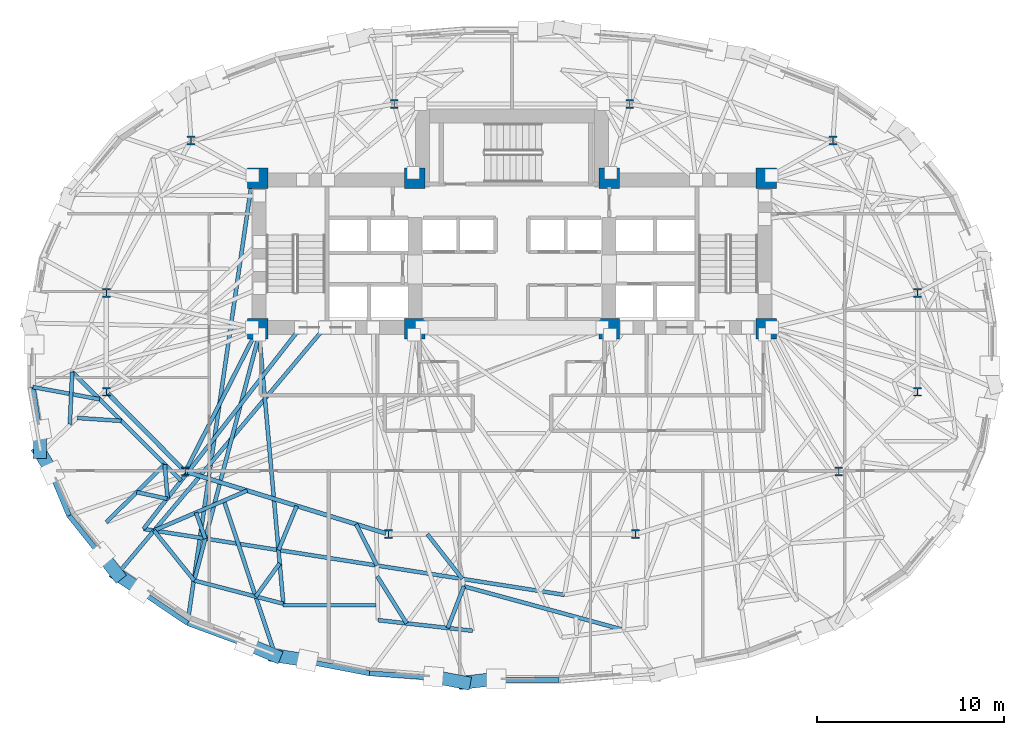
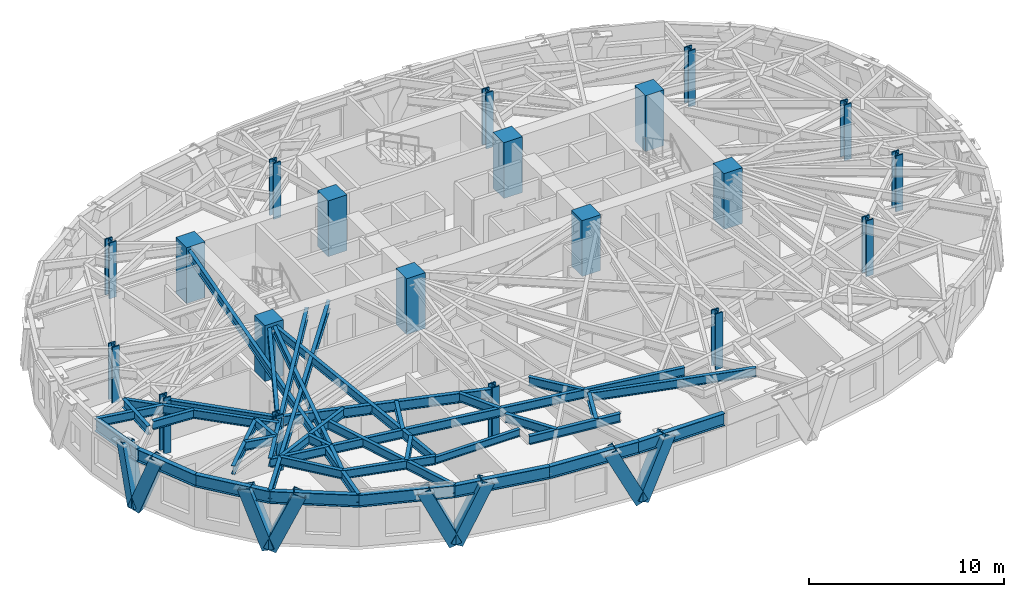
# One storey, part 1 of 14: 38 beams, 20 columns, 8 members.
"""IFC4 building model written with IfcOpenShell, lengths in metres."""

from ifc_helpers import new_model, si_unit, direction, frame, origin, origin_2d, place, context, subcontext, project, spatial, rectangle, hollow_rectangle, i_section, extrude, material, material_profile, profile_set, type_object, element, save


model = new_model("IFC4")

# Units and contexts
model_context = context("Model", 3, precision=1e-05, world=origin(), true_north=direction((0.0, 1.0)))
body_context = subcontext(model_context, "Body", "Model", "MODEL_VIEW")
ifc_project = project(units=[si_unit("LENGTHUNIT", "METRE"), si_unit("AREAUNIT", "SQUARE_METRE"), si_unit("VOLUMEUNIT", "CUBIC_METRE"), si_unit("PLANEANGLEUNIT", "RADIAN"), si_unit("MASSUNIT", "GRAM", prefix="KILO")], contexts=[model_context])

# Site, building, storey
site_placement = place(None, origin())
site = spatial("IfcSite", under=ifc_project, at=site_placement, CompositionType="ELEMENT")
building_placement = place(site_placement, origin())
building = spatial("IfcBuilding", under=site, at=building_placement, Name="Keldmark Tower", CompositionType="ELEMENT")
storey_placement = place(building_placement, frame((0.0, 0.0, 124.60009765625)))
storey = spatial("IfcBuildingStorey", under=building, at=storey_placement, Name="L33", CompositionType="ELEMENT", Elevation=124.60009765625)

# Columns
ifc_material_1 = material(Name="Concrete C70/85", Category="concrete")
ifc_material_profile_1 = material_profile(ifc_material_1, rectangle(XDim=1.10009765625, YDim=1.10009765625, at=origin_2d()), Name="RC1100X1100")
ifc_profile_set_1 = profile_set([ifc_material_profile_1], Name="Concrete C70/85")
column_type_1 = type_object("IfcColumnType", Name="Core Boundary Column RC1100", PredefinedType="COLUMN", material=ifc_profile_set_1)
for number, where, z_axis, x_axis, name in (
    (1, (-13.60009765625, 1.39990234375, 0.0), (0.0, 0.0, 1.0), (1.0, 0.0, 0.0), "L33 Core Boundary Column CC-W1"),
    (2, (-13.60009765625, 9.449951171875, 0.0), (0.0, 0.0, 1.0), (1.0, 0.0, 0.0), "L33 Core Boundary Column CC-W2"),
    (3, (-5.199951171875, 1.39990234375, 0.0), (0.0, 0.0, 1.0), (1.0, 0.0, 0.0), "L33 Core Boundary Column CC-W3"),
    (4, (-5.199951171875, 9.449951171875, 0.0), (0.0, 0.0, 1.0), (1.0, 0.0, 0.0), "L33 Core Boundary Column CC-W4"),
    (5, (5.199951171875, 1.39990234375, 0.0), (0.0, 0.0, 1.0), (1.0, 0.0, 0.0), "L33 Core Boundary Column CC-E1"),
    (6, (5.199951171875, 9.449951171875, 0.0), (0.0, 0.0, 1.0), (1.0, 0.0, 0.0), "L33 Core Boundary Column CC-E2"),
    (7, (13.60009765625, 1.39990234375, 0.0), (0.0, 0.0, 1.0), (1.0, 0.0, 0.0), "L33 Core Boundary Column CC-E3"),
    (8, (13.60009765625, 9.449951171875, 0.0), (0.0, 0.0, 1.0), (1.0, 0.0, 0.0), "L33 Core Boundary Column CC-E4"),
):
    element("IfcColumn", number, at=place(storey_placement, frame(where, z_axis=z_axis, x_axis=x_axis)), inside=storey, type_object=column_type_1, Name=name, PredefinedType="COLUMN", context=body_context, shape_type="SweptSolid", body=[
        extrude(rectangle(XDim=1.10009765625, YDim=1.10009765625, at=origin_2d()), origin(), (0.0, 0.0, 1.0), 3.5),
    ])
ifc_material_2 = material(Name="Steel ASTM A992 Grade 50", Category="steel")
ifc_material_profile_2 = material_profile(ifc_material_2, i_section(OverallWidth=0.424072265625, OverallDepth=0.47412109375, WebThickness=0.047607421875, FlangeThickness=0.0771484375, at=origin_2d()), Name="W14X426")
ifc_profile_set_2 = profile_set([ifc_material_profile_2], Name="Steel ASTM A992 Grade 50")
column_type_2 = type_object("IfcColumnType", Name="Tower Gravity Column W14X426", PredefinedType="COLUMN", material=ifc_profile_set_2)
for number, where, z_axis, x_axis, name in (
    (9, (21.697021484375, 3.309814453125, 0.0), (0.0, 0.0, 1.0), (1.0, 0.0, 0.0), "L33 Tower Gravity Column TC-E1"),
    (10, (17.1669921875, 11.478271484375, 0.0), (0.0, 0.0, 1.0), (1.0, 0.0, 0.0), "L33 Tower Gravity Column TC-E4"),
    (11, (6.298828125, 13.4326171875, 0.0), (0.0, 0.0, 1.0), (1.0, 0.0, 0.0), "L33 Tower Gravity Column TC-N2"),
    (12, (-6.298828125, 13.4326171875, 0.0), (0.0, 0.0, 1.0), (1.0, 0.0, 0.0), "L33 Tower Gravity Column TC-N1"),
    (13, (-17.1669921875, 11.478271484375, 0.0), (0.0, 0.0, 1.0), (1.0, 0.0, 0.0), "L33 Tower Gravity Column TC-W4"),
    (14, (-21.697021484375, 3.309814453125, 0.0), (0.0, 0.0, 1.0), (1.0, 0.0, 0.0), "L33 Tower Gravity Column TC-W1"),
    (15, (-21.697021484375, -1.9658203125, 0.0), (0.0, 0.0, 1.0), (1.0, 0.0, 0.0), "L33 Tower Gravity Column TC-W5"),
    (16, (-17.477294921875, -6.2294921875, 0.0), (0.0, 0.0, 1.0), (1.0, 0.0, 0.0), "L33 Tower Gravity Column TC-W2"),
    (17, (-6.61279296875, -9.579345703125, 0.0), (0.0, 0.0, 1.0), (1.0, 0.0, 0.0), "L33 Tower Gravity Column TC-W3"),
    (18, (6.61279296875, -9.579345703125, 0.0), (0.0, 0.0, 1.0), (1.0, 0.0, 0.0), "L33 Tower Gravity Column TC-E3"),
    (19, (17.477294921875, -6.2294921875, 0.0), (0.0, 0.0, 1.0), (1.0, 0.0, 0.0), "L33 Tower Gravity Column TC-E2"),
    (20, (21.697021484375, -1.9658203125, 0.0), (0.0, 0.0, 1.0), (1.0, 0.0, 0.0), "L33 Tower Gravity Column TC-E5"),
):
    element("IfcColumn", number, at=place(storey_placement, frame(where, z_axis=z_axis, x_axis=x_axis)), inside=storey, type_object=column_type_2, Name=name, PredefinedType="COLUMN", context=body_context, shape_type="SweptSolid", body=[
        extrude(i_section(OverallWidth=0.424072265625, OverallDepth=0.47412109375, WebThickness=0.047607421875, FlangeThickness=0.0771484375, at=origin_2d()), origin(), (0.0, 0.0, 1.0), 3.5),
    ])

# Beam
ifc_material_3 = material(Name="Steel ASTM A992 Grade 50", Category="steel")
ifc_material_profile_3 = material_profile(ifc_material_3, i_section(OverallWidth=0.19091796875, OverallDepth=0.45703125, WebThickness=0.009033203125, FlangeThickness=0.014404296875, at=origin_2d()), Name="W18X50")
ifc_profile_set_3 = profile_set([ifc_material_profile_3], Name="Steel ASTM A992 Grade 50")
beam_type_1 = type_object("IfcBeamType", Name="Composite Floor Joist W18X50", PredefinedType="JOIST", material=ifc_profile_set_3)
beam_1_placement = place(storey_placement, frame((-12.257080078125, -13.3798828125, 3.081298828125), z_axis=(1.0, 0.0, 0.0), x_axis=(0.0, 1.0, 0.0)))
element("IfcBeam", 21, at=beam_1_placement, inside=storey, type_object=beam_type_1, Name="L33 Composite Floor Joist J01", PredefinedType="JOIST", context=body_context, shape_type="SweptSolid", body=[
    extrude(i_section(OverallWidth=0.19091796875, OverallDepth=0.45703125, WebThickness=0.009033203125, FlangeThickness=0.014404296875, at=origin_2d()), origin(), (0.0, 0.0, 1.0), 4.97705078125),
])

# Members
ifc_material_4 = material(Name="Steel ASTM A572 Grade 50", Category="steel")
ifc_material_profile_4 = material_profile(ifc_material_4, hollow_rectangle(XDim=0.699951171875, YDim=0.699951171875, WallThickness=0.044921875, at=origin_2d()), Name="BOX700X700X45")
ifc_profile_set_4 = profile_set([ifc_material_profile_4], Name="Steel ASTM A572 Grade 50")
member_type = type_object("IfcMemberType", Name="Diagrid Zone 2 Brace BOX700X700X45", PredefinedType="BRACE", material=ifc_profile_set_4)
member_1_placement = place(storey_placement, frame((-25.2529296875, -5.2001953125, -0.27001953125), z_axis=(0.008138331931, 0.325866815426, 0.94538065675), x_axis=(-0.999688285196, 0.02496662657, 0.0)))
element("IfcMember", 22, at=member_1_placement, inside=storey, type_object=member_type, Name="L33 Perimeter Diagrid Brace 09A", PredefinedType="BRACE", context=body_context, shape_type="SweptSolid", body=[
    extrude(hollow_rectangle(XDim=0.699951171875, YDim=0.699951171875, WallThickness=0.044921875, at=origin_2d()), origin(), (0.0, 0.0, 1.0), 3.659912109375),
])
member_2_placement = place(storey_placement, frame((-25.25537109375, -5.188720703125, -0.27001953125), z_axis=(0.182553399139, -0.297731965347, 0.937032514523), x_axis=(0.852508727076, 0.52271299033, 0.0)))
element("IfcMember", 23, at=member_2_placement, inside=storey, type_object=member_type, Name="L33 Perimeter Diagrid Brace 09B", PredefinedType="BRACE", context=body_context, shape_type="SweptSolid", body=[
    extrude(hollow_rectangle(XDim=0.699951171875, YDim=0.699951171875, WallThickness=0.044921875, at=origin_2d()), origin(), (0.0, 0.0, 1.0), 3.6923828125),
])
member_3_placement = place(storey_placement, frame((-21.100341796875, -11.74169921875, -0.27001953125), z_axis=(-0.226834492266, 0.28602298851, 0.93098709076), x_axis=(-0.783512784352, -0.621375664761, 0.0)))
element("IfcMember", 24, at=member_3_placement, inside=storey, type_object=member_type, Name="L33 Perimeter Diagrid Brace 10A", PredefinedType="BRACE", context=body_context, shape_type="SweptSolid", body=[
    extrude(hollow_rectangle(XDim=0.699951171875, YDim=0.699951171875, WallThickness=0.044921875, at=origin_2d()), origin(), (0.0, 0.0, 1.0), 3.716552734375),
])
member_4_placement = place(storey_placement, frame((-21.10693359375, -11.73193359375, -0.27001953125), z_axis=(0.335688089011, -0.225727976809, 0.914527412045), x_axis=(0.558008953793, 0.829834927854, 0.0)))
element("IfcMember", 25, at=member_4_placement, inside=storey, type_object=member_type, Name="L33 Perimeter Diagrid Brace 10B", PredefinedType="BRACE", context=body_context, shape_type="SweptSolid", body=[
    extrude(hollow_rectangle(XDim=0.699951171875, YDim=0.699951171875, WallThickness=0.044921875, at=origin_2d()), origin(), (0.0, 0.0, 1.0), 3.783447265625),
])
member_5_placement = place(storey_placement, frame((-12.672607421875, -16.076416015625, -0.27001953125), z_axis=(-0.396146158481, 0.165315819675, 0.9031826509), x_axis=(-0.385121341829, -0.922865944798, 0.0)))
element("IfcMember", 26, at=member_5_placement, inside=storey, type_object=member_type, Name="L33 Perimeter Diagrid Brace 11A", PredefinedType="BRACE", context=body_context, shape_type="SweptSolid", body=[
    extrude(hollow_rectangle(XDim=0.699951171875, YDim=0.699951171875, WallThickness=0.044921875, at=origin_2d()), origin(), (0.0, 0.0, 1.0), 3.830810546875),
])
member_6_placement = place(storey_placement, frame((-12.682373046875, -16.06982421875, -0.27001953125), z_axis=(0.445834738319, -0.067703396482, 0.89255119529), x_axis=(0.150136346739, 0.988665300993, 0.0)))
element("IfcMember", 27, at=member_6_placement, inside=storey, type_object=member_type, Name="L33 Perimeter Diagrid Brace 11B", PredefinedType="BRACE", context=body_context, shape_type="SweptSolid", body=[
    extrude(hollow_rectangle(XDim=0.699951171875, YDim=0.699951171875, WallThickness=0.044921875, at=origin_2d()), origin(), (0.0, 0.0, 1.0), 3.87646484375),
])
member_7_placement = place(storey_placement, frame((-2.535888671875, -17.519775390625, -0.27001953125), z_axis=(-0.432868023203, 0.082659170366, 0.897659588064), x_axis=(-0.187567809741, -0.982251656527, 0.0)))
element("IfcMember", 28, at=member_7_placement, inside=storey, type_object=member_type, Name="L33 Perimeter Diagrid Brace 12A", PredefinedType="BRACE", context=body_context, shape_type="SweptSolid", body=[
    extrude(hollow_rectangle(XDim=0.699951171875, YDim=0.699951171875, WallThickness=0.044921875, at=origin_2d()), origin(), (0.0, 0.0, 1.0), 3.8544921875),
])
member_8_placement = place(storey_placement, frame((-2.547607421875, -17.517333984375, -0.27001953125), z_axis=(0.44291108894, 0.052229783339, 0.895042913511), x_axis=(-0.117112382561, 0.993118668564, 0.0)))
element("IfcMember", 29, at=member_8_placement, inside=storey, type_object=member_type, Name="L33 Perimeter Diagrid Brace 12B", PredefinedType="BRACE", context=body_context, shape_type="SweptSolid", body=[
    extrude(hollow_rectangle(XDim=0.699951171875, YDim=0.699951171875, WallThickness=0.044921875, at=origin_2d()), origin(), (0.0, 0.0, 1.0), 3.86572265625),
])

# Beams
ifc_material_5 = material(Name="Steel ASTM A992 Grade 50", Category="steel")
ifc_material_profile_5 = material_profile(ifc_material_5, i_section(OverallWidth=0.22900390625, OverallDepth=0.612060546875, WebThickness=0.011962890625, FlangeThickness=0.01953125, at=origin_2d()), Name="W24X84")
ifc_profile_set_5 = profile_set([ifc_material_profile_5], Name="Steel ASTM A992 Grade 50")
beam_type_2 = type_object("IfcBeamType", Name="Primary Floor Girder W24X84", PredefinedType="BEAM", material=ifc_profile_set_5)
beam_2_placement = place(storey_placement, frame((-21.598388671875, -2.0654296875, 3.00390625), z_axis=(0.703425791323, -0.71076870788, 0.0), x_axis=(0.71076870788, 0.703425791323, 0.0)))
element("IfcBeam", 30, at=beam_2_placement, inside=storey, type_object=beam_type_2, Name="L33 Floor Ring Girder FG-R07", PredefinedType="BEAM", context=body_context, shape_type="SweptSolid", body=[
    extrude(i_section(OverallWidth=0.22900390625, OverallDepth=0.612060546875, WebThickness=0.011962890625, FlangeThickness=0.01953125, at=origin_2d()), origin(), (0.0, 0.0, 1.0), 5.71875),
])
beam_3_placement = place(storey_placement, frame((-17.343505859375, -6.270751953125, 3.00390625), z_axis=(0.955607954968, -0.294641199432, 0.0), x_axis=(0.294641199432, 0.955607954968, 0.0)))
element("IfcBeam", 31, at=beam_3_placement, inside=storey, type_object=beam_type_2, Name="L33 Floor Ring Girder FG-R08", PredefinedType="BEAM", context=body_context, shape_type="SweptSolid", body=[
    extrude(i_section(OverallWidth=0.22900390625, OverallDepth=0.612060546875, WebThickness=0.011962890625, FlangeThickness=0.01953125, at=origin_2d()), origin(), (0.0, 0.0, 1.0), 11.089111328125),
])
ifc_material_6 = material(Name="Steel ASTM A992 Grade 50", Category="steel")
ifc_material_profile_6 = material_profile(ifc_material_6, i_section(OverallWidth=0.2099609375, OverallDepth=0.537109375, WebThickness=0.010986328125, FlangeThickness=0.017333984375, at=origin_2d()), Name="W21X68")
ifc_profile_set_6 = profile_set([ifc_material_profile_6], Name="Steel ASTM A992 Grade 50")
beam_type_3 = type_object("IfcBeamType", Name="Radial Tie Girder W21X68", PredefinedType="BEAM", material=ifc_profile_set_6)
beam_4_placement = place(storey_placement, frame((-17.413818359375, -6.104736328125, 3.04150390625), z_axis=(0.453028637759, 0.891495963743, 0.0), x_axis=(-0.891495963743, 0.453028637759, 0.0)))
element("IfcBeam", 32, at=beam_4_placement, inside=storey, type_object=beam_type_3, Name="L33 Floor Radial Girder FG-C08", PredefinedType="BEAM", context=body_context, shape_type="SweptSolid", body=[
    extrude(i_section(OverallWidth=0.2099609375, OverallDepth=0.537109375, WebThickness=0.010986328125, FlangeThickness=0.017333984375, at=origin_2d()), origin(), (0.0, 0.0, 1.0), 8.09814453125),
])
beam_5_placement = place(storey_placement, frame((-23.526611328125, -0.90380859375, 3.04150390625), z_axis=(0.707877146153, -0.706335576022, 0.0), x_axis=(0.706335576022, 0.707877146153, 0.0)))
element("IfcBeam", 33, at=beam_5_placement, inside=storey, type_object=beam_type_3, Name="L33 Framing Pin Header PH-010", PredefinedType="BEAM", context=body_context, shape_type="SweptSolid", body=[
    extrude(i_section(OverallWidth=0.2099609375, OverallDepth=0.537109375, WebThickness=0.010986328125, FlangeThickness=0.017333984375, at=origin_2d()), origin(), (0.0, 0.0, 1.0), 8.2353515625),
])
beam_6_placement = place(storey_placement, frame((-11.30712890625, 1.47509765625, 3.04150390625), z_axis=(-0.614860489309, -0.788635897412, 0.0), x_axis=(0.788635897412, -0.614860489309, 0.0)))
element("IfcBeam", 34, at=beam_6_placement, inside=storey, type_object=beam_type_3, Name="L33 Sub-Ring Step Girder STP2-M08", PredefinedType="BEAM", context=body_context, shape_type="SweptSolid", body=[
    extrude(i_section(OverallWidth=0.2099609375, OverallDepth=0.537109375, WebThickness=0.010986328125, FlangeThickness=0.017333984375, at=origin_2d()), origin(), (0.0, 0.0, 1.0), 13.664306640625),
])
beam_7_placement = place(storey_placement, frame((-19.708740234375, -9.301025390625, 3.04150390625), z_axis=(0.987940743247, -0.154832450836, 0.0), x_axis=(0.154832450836, 0.987940743247, 0.0)))
element("IfcBeam", 35, at=beam_7_placement, inside=storey, type_object=beam_type_3, Name="L33 Perimeter Collector Ring Beam CRG2-M08", PredefinedType="BEAM", context=body_context, shape_type="SweptSolid", body=[
    extrude(i_section(OverallWidth=0.2099609375, OverallDepth=0.537109375, WebThickness=0.010986328125, FlangeThickness=0.017333984375, at=origin_2d()), origin(), (0.0, 0.0, 1.0), 22.7880859375),
])
beam_8_placement = place(storey_placement, frame((-25.62646484375, -1.711181640625, 3.04150390625), z_axis=(0.983561328584, -0.180574397174, 0.0), x_axis=(0.180574397174, 0.983561328584, 0.0)))
element("IfcBeam", 36, at=beam_8_placement, inside=storey, type_object=beam_type_3, Name="L33 Framing Pin Header PH-024", PredefinedType="BEAM", context=body_context, shape_type="SweptSolid", body=[
    extrude(i_section(OverallWidth=0.2099609375, OverallDepth=0.537109375, WebThickness=0.010986328125, FlangeThickness=0.017333984375, at=origin_2d()), origin(), (0.0, 0.0, 1.0), 3.624755859375),
])
beam_9_placement = place(storey_placement, frame((-23.526611328125, -0.90380859375, 3.04150390625), z_axis=(-0.044209156387, -0.999022297294, 0.0), x_axis=(0.999022297294, -0.044209156387, 0.0)))
element("IfcBeam", 37, at=beam_9_placement, inside=storey, type_object=beam_type_3, Name="L33 Local Collector Chord RT-18C", PredefinedType="BEAM", context=body_context, shape_type="SweptSolid", body=[
    extrude(i_section(OverallWidth=0.2099609375, OverallDepth=0.537109375, WebThickness=0.010986328125, FlangeThickness=0.017333984375, at=origin_2d()), origin(), (0.0, 0.0, 1.0), 2.7998046875),
])
beam_10_placement = place(storey_placement, frame((-20.9033203125, -3.521484375, 3.04150390625), z_axis=(-0.997769974642, 0.066746368466, 0.0), x_axis=(-0.066746368466, -0.997769974642, 0.0)))
element("IfcBeam", 38, at=beam_10_placement, inside=storey, type_object=beam_type_3, Name="L33 Framing Pin Header PH-025", PredefinedType="BEAM", context=body_context, shape_type="SweptSolid", body=[
    extrude(i_section(OverallWidth=0.2099609375, OverallDepth=0.537109375, WebThickness=0.010986328125, FlangeThickness=0.017333984375, at=origin_2d()), origin(), (0.0, 0.0, 1.0), 2.351806640625),
])
beam_11_placement = place(storey_placement, frame((-18.5712890625, -5.848388671875, 3.04150390625), z_axis=(0.079071756239, -0.996868926873, 0.0), x_axis=(0.996868926873, 0.079071756239, 0.0)))
element("IfcBeam", 39, at=beam_11_placement, inside=storey, type_object=beam_type_3, Name="L33 Framing Pin Header PH-026", PredefinedType="BEAM", context=body_context, shape_type="SweptSolid", body=[
    extrude(i_section(OverallWidth=0.2099609375, OverallDepth=0.537109375, WebThickness=0.010986328125, FlangeThickness=0.017333984375, at=origin_2d()), origin(), (0.0, 0.0, 1.0), 1.8154296875),
])
beam_12_placement = place(storey_placement, frame((-18.5712890625, -5.848388671875, 3.04150390625), z_axis=(-0.711033063996, -0.70315857522, 0.0), x_axis=(0.70315857522, -0.711033063996, 0.0)))
element("IfcBeam", 40, at=beam_12_placement, inside=storey, type_object=beam_type_3, Name="L33 Local Collector Chord RT-19C", PredefinedType="BEAM", context=body_context, shape_type="SweptSolid", body=[
    extrude(i_section(OverallWidth=0.2099609375, OverallDepth=0.537109375, WebThickness=0.010986328125, FlangeThickness=0.017333984375, at=origin_2d()), origin(), (0.0, 0.0, 1.0), 4.402587890625),
])
beam_13_placement = place(storey_placement, frame((-18.448486328125, -7.684814453125, 3.04150390625), z_axis=(-0.977815292061, 0.209468982458, 0.0), x_axis=(-0.209468982458, -0.977815292061, 0.0)))
element("IfcBeam", 41, at=beam_13_placement, inside=storey, type_object=beam_type_3, Name="L33 Framing Pin Header PH-027", PredefinedType="BEAM", context=body_context, shape_type="SweptSolid", body=[
    extrude(i_section(OverallWidth=0.2099609375, OverallDepth=0.537109375, WebThickness=0.010986328125, FlangeThickness=0.017333984375, at=origin_2d()), origin(), (0.0, 0.0, 1.0), 1.664306640625),
])
beam_14_placement = place(storey_placement, frame((-14.164306640625, -7.2509765625, 3.04150390625), z_axis=(-0.918974941844, -0.394315934578, 0.0), x_axis=(0.394315934578, -0.918974941844, 0.0)))
element("IfcBeam", 42, at=beam_14_placement, inside=storey, type_object=beam_type_3, Name="L33 Framing Pin Header PH-028", PredefinedType="BEAM", context=body_context, shape_type="SweptSolid", body=[
    extrude(i_section(OverallWidth=0.2099609375, OverallDepth=0.537109375, WebThickness=0.010986328125, FlangeThickness=0.017333984375, at=origin_2d()), origin(), (0.0, 0.0, 1.0), 5.422607421875),
])
beam_15_placement = place(storey_placement, frame((-10.0107421875, 1.47509765625, 3.04150390625), z_axis=(-0.643633748336, -0.765333651425, 0.0), x_axis=(0.765333651425, -0.643633748336, 0.0)))
element("IfcBeam", 43, at=beam_15_placement, inside=storey, type_object=beam_type_3, Name="L33 Perimeter Radial Tie Girder RT-20", PredefinedType="BEAM", context=body_context, shape_type="SweptSolid", body=[
    extrude(i_section(OverallWidth=0.2099609375, OverallDepth=0.537109375, WebThickness=0.010986328125, FlangeThickness=0.017333984375, at=origin_2d()), origin(), (0.0, 0.0, 1.0), 17.302490234375),
])
beam_16_placement = place(storey_placement, frame((-16.905029296875, -8.427001953125, 3.04150390625), z_axis=(0.337256947829, -0.941412635958, 0.0), x_axis=(0.941412635958, 0.337256947829, 0.0)))
element("IfcBeam", 44, at=beam_16_placement, inside=storey, type_object=beam_type_3, Name="L33 Framing Pin Header PH-029", PredefinedType="BEAM", context=body_context, shape_type="SweptSolid", body=[
    extrude(i_section(OverallWidth=0.2099609375, OverallDepth=0.537109375, WebThickness=0.010986328125, FlangeThickness=0.017333984375, at=origin_2d()), origin(), (0.0, 0.0, 1.0), 1.478271484375),
])
beam_17_placement = place(storey_placement, frame((-13.52490234375, 1.10009765625, 3.04150390625), z_axis=(-0.255193389803, -0.966890031907, 0.0), x_axis=(0.966890031907, -0.255193389803, 0.0)))
element("IfcBeam", 45, at=beam_17_placement, inside=storey, type_object=beam_type_3, Name="L33 Intermediate Radial Step Girder RT-21M", PredefinedType="BEAM", context=body_context, shape_type="SweptSolid", body=[
    extrude(i_section(OverallWidth=0.2099609375, OverallDepth=0.537109375, WebThickness=0.010986328125, FlangeThickness=0.017333984375, at=origin_2d()), origin(), (0.0, 0.0, 1.0), 13.61083984375),
])
beam_18_placement = place(storey_placement, frame((-19.1474609375, -9.38916015625, 3.04150390625), z_axis=(0.626907153336, -0.779093974496, 0.0), x_axis=(0.779093974496, 0.626907153336, 0.0)))
element("IfcBeam", 46, at=beam_18_placement, inside=storey, type_object=beam_type_3, Name="L33 Local Collector Chord RT-21C", PredefinedType="BEAM", context=body_context, shape_type="SweptSolid", body=[
    extrude(i_section(OverallWidth=0.2099609375, OverallDepth=0.537109375, WebThickness=0.010986328125, FlangeThickness=0.017333984375, at=origin_2d()), origin(), (0.0, 0.0, 1.0), 3.42822265625),
])
beam_19_placement = place(storey_placement, frame((-13.89990234375, 9.375, 3.04150390625), z_axis=(-0.144190715144, -0.989549916713, 0.0), x_axis=(0.989549916713, -0.144190715144, 0.0)))
element("IfcBeam", 47, at=beam_19_placement, inside=storey, type_object=beam_type_3, Name="L33 Perimeter Radial Tie Girder RT-21", PredefinedType="BEAM", context=body_context, shape_type="SweptSolid", body=[
    extrude(i_section(OverallWidth=0.2099609375, OverallDepth=0.537109375, WebThickness=0.010986328125, FlangeThickness=0.017333984375, at=origin_2d()), origin(), (0.0, 0.0, 1.0), 23.963623046875),
])
beam_20_placement = place(storey_placement, frame((-11.51513671875, -8.06787109375, 3.04150390625), z_axis=(-0.381081070687, -0.924541625652, 0.0), x_axis=(0.924541625652, -0.381081070687, 0.0)))
element("IfcBeam", 48, at=beam_20_placement, inside=storey, type_object=beam_type_3, Name="L33 Framing Pin Header PH-030", PredefinedType="BEAM", context=body_context, shape_type="SweptSolid", body=[
    extrude(i_section(OverallWidth=0.2099609375, OverallDepth=0.537109375, WebThickness=0.010986328125, FlangeThickness=0.017333984375, at=origin_2d()), origin(), (0.0, 0.0, 1.0), 2.557373046875),
])
beam_21_placement = place(storey_placement, frame((-13.52490234375, 1.10009765625, 3.04150390625), z_axis=(0.089410774668, -0.995994836017, 0.0), x_axis=(0.995994836017, 0.089410774668, 0.0)))
element("IfcBeam", 49, at=beam_21_placement, inside=storey, type_object=beam_type_3, Name="L33 Intermediate Radial Step Girder RT-22M", PredefinedType="BEAM", context=body_context, shape_type="SweptSolid", body=[
    extrude(i_section(OverallWidth=0.2099609375, OverallDepth=0.537109375, WebThickness=0.010986328125, FlangeThickness=0.017333984375, at=origin_2d()), origin(), (0.0, 0.0, 1.0), 14.4609375),
])
beam_22_placement = place(storey_placement, frame((-16.998291015625, -12.06005859375, 3.04150390625), z_axis=(0.967640953661, -0.252331101526, 0.0), x_axis=(0.252331101526, 0.967640953661, 0.0)))
element("IfcBeam", 50, at=beam_22_placement, inside=storey, type_object=beam_type_3, Name="L33 Local Collector Chord RT-22C", PredefinedType="BEAM", context=body_context, shape_type="SweptSolid", body=[
    extrude(i_section(OverallWidth=0.2099609375, OverallDepth=0.537109375, WebThickness=0.010986328125, FlangeThickness=0.017333984375, at=origin_2d()), origin(), (0.0, 0.0, 1.0), 4.92578125),
])
beam_23_placement = place(storey_placement, frame((-12.426025390625, -11.142578125, 3.04150390625), z_axis=(-0.585563811117, -0.810626315333, 0.0), x_axis=(0.810626315333, -0.585563811117, 0.0)))
element("IfcBeam", 51, at=beam_23_placement, inside=storey, type_object=beam_type_3, Name="L33 Framing Pin Header PH-031", PredefinedType="BEAM", context=body_context, shape_type="SweptSolid", body=[
    extrude(i_section(OverallWidth=0.2099609375, OverallDepth=0.537109375, WebThickness=0.010986328125, FlangeThickness=0.017333984375, at=origin_2d()), origin(), (0.0, 0.0, 1.0), 2.190185546875),
])
beam_24_placement = place(storey_placement, frame((-15.41015625, -7.785400390625, 3.04150390625), z_axis=(0.314724416647, -0.949183091699, 0.0), x_axis=(0.949183091699, 0.314724416647, 0.0)))
element("IfcBeam", 52, at=beam_24_placement, inside=storey, type_object=beam_type_3, Name="L33 Perimeter Radial Tie Girder RT-22", PredefinedType="BEAM", context=body_context, shape_type="SweptSolid", body=[
    extrude(i_section(OverallWidth=0.2099609375, OverallDepth=0.537109375, WebThickness=0.010986328125, FlangeThickness=0.017333984375, at=origin_2d()), origin(), (0.0, 0.0, 1.0), 8.72314453125),
])
beam_25_placement = place(storey_placement, frame((-8.336181640625, -9.048095703125, 3.04150390625), z_axis=(0.451504727434, -0.892268726957, 0.0), x_axis=(0.892268726957, 0.451504727434, 0.0)))
element("IfcBeam", 53, at=beam_25_placement, inside=storey, type_object=beam_type_3, Name="L33 Framing Pin Header PH-032", PredefinedType="BEAM", context=body_context, shape_type="SweptSolid", body=[
    extrude(i_section(OverallWidth=0.2099609375, OverallDepth=0.537109375, WebThickness=0.010986328125, FlangeThickness=0.017333984375, at=origin_2d()), origin(), (0.0, 0.0, 1.0), 2.4775390625),
])
beam_26_placement = place(storey_placement, frame((-4.531005859375, -9.579345703125, 3.04150390625), z_axis=(0.617073707659, -0.786905356009, 0.0), x_axis=(0.786905356009, 0.617073707659, 0.0)))
element("IfcBeam", 54, at=beam_26_placement, inside=storey, type_object=beam_type_3, Name="L33 Framing Pin Header PH-033", PredefinedType="BEAM", context=body_context, shape_type="SweptSolid", body=[
    extrude(i_section(OverallWidth=0.2099609375, OverallDepth=0.537109375, WebThickness=0.010986328125, FlangeThickness=0.017333984375, at=origin_2d()), origin(), (0.0, 0.0, 1.0), 3.043212890625),
])
beam_27_placement = place(storey_placement, frame((-7.17138671875, -14.1806640625, 3.04150390625), z_axis=(0.993742566249, -0.111694726934, 0.0), x_axis=(0.111694726934, 0.993742566249, 0.0)))
element("IfcBeam", 55, at=beam_27_placement, inside=storey, type_object=beam_type_3, Name="L33 Local Collector Chord RT-24C", PredefinedType="BEAM", context=body_context, shape_type="SweptSolid", body=[
    extrude(i_section(OverallWidth=0.2099609375, OverallDepth=0.537109375, WebThickness=0.010986328125, FlangeThickness=0.017333984375, at=origin_2d()), origin(), (0.0, 0.0, 1.0), 5.090576171875),
])
beam_28_placement = place(storey_placement, frame((-2.57568359375, -12.371826171875, 3.04150390625), z_axis=(-0.359855545801, -0.933008031132, 0.0), x_axis=(0.933008031132, -0.359855545801, 0.0)))
element("IfcBeam", 56, at=beam_28_placement, inside=storey, type_object=beam_type_3, Name="L33 Framing Pin Header PH-034", PredefinedType="BEAM", context=body_context, shape_type="SweptSolid", body=[
    extrude(i_section(OverallWidth=0.2099609375, OverallDepth=0.537109375, WebThickness=0.010986328125, FlangeThickness=0.017333984375, at=origin_2d()), origin(), (0.0, 0.0, 1.0), 2.388671875),
])
beam_29_placement = place(storey_placement, frame((-7.20849609375, -11.832275390625, 3.04150390625), z_axis=(0.529917740672, -0.848049048181, 0.0), x_axis=(0.848049048181, 0.529917740672, 0.0)))
element("IfcBeam", 57, at=beam_29_placement, inside=storey, type_object=beam_type_3, Name="L33 Framing Pin Header PH-045", PredefinedType="BEAM", context=body_context, shape_type="SweptSolid", body=[
    extrude(i_section(OverallWidth=0.2099609375, OverallDepth=0.537109375, WebThickness=0.010986328125, FlangeThickness=0.017333984375, at=origin_2d()), origin(), (0.0, 0.0, 1.0), 2.972900390625),
])
beam_30_placement = place(storey_placement, frame((-2.57568359375, -12.371826171875, 3.04150390625), z_axis=(0.964755557803, -0.263147703179, 0.0), x_axis=(0.263147703179, 0.964755557803, 0.0)))
element("IfcBeam", 58, at=beam_30_placement, inside=storey, type_object=beam_type_3, Name="L33 Straddling Support Chord RT-25RB", PredefinedType="BEAM", context=body_context, shape_type="SweptSolid", body=[
    extrude(i_section(OverallWidth=0.2099609375, OverallDepth=0.537109375, WebThickness=0.010986328125, FlangeThickness=0.017333984375, at=origin_2d()), origin(), (0.0, 0.0, 1.0), 8.864013671875),
])
ifc_material_7 = material(Name="Steel ASTM A992 Grade 50", Category="steel")
ifc_material_profile_7 = material_profile(ifc_material_7, i_section(OverallWidth=0.26806640625, OverallDepth=0.77001953125, WebThickness=0.015625, FlangeThickness=0.025390625, at=origin_2d()), Name="W30X132")
ifc_profile_set_7 = profile_set([ifc_material_profile_7], Name="Steel ASTM A992 Grade 50")
beam_type_4 = type_object("IfcBeamType", Name="Spandrel Ring Beam W30X132", PredefinedType="SPANDREL", material=ifc_profile_set_7)
beam_31_placement = place(storey_placement, frame((-25.62646484375, -1.711181640625, 2.9248046875), z_axis=(0.147673688434, -0.989036137734, 0.0), x_axis=(0.989036137734, 0.147673688434, 0.0)))
element("IfcBeam", 59, at=beam_31_placement, inside=storey, type_object=beam_type_4, Name="L33 Perimeter Spandrel Ring Beam SRB-17", PredefinedType="SPANDREL", context=body_context, shape_type="SweptSolid", body=[
    extrude(i_section(OverallWidth=0.26806640625, OverallDepth=0.77001953125, WebThickness=0.015625, FlangeThickness=0.025390625, at=origin_2d()), origin(), (0.0, 0.0, 1.0), 3.49169921875),
])
beam_32_placement = place(storey_placement, frame((-25.11083984375, -5.16455078125, 2.9248046875), z_axis=(0.382433297136, -0.923983102249, 0.0), x_axis=(0.923983102249, 0.382433297136, 0.0)))
element("IfcBeam", 60, at=beam_32_placement, inside=storey, type_object=beam_type_4, Name="L33 Perimeter Spandrel Ring Beam SRB-18", PredefinedType="SPANDREL", context=body_context, shape_type="SweptSolid", body=[
    extrude(i_section(OverallWidth=0.26806640625, OverallDepth=0.77001953125, WebThickness=0.015625, FlangeThickness=0.025390625, at=origin_2d()), origin(), (0.0, 0.0, 1.0), 3.703857421875),
])
beam_33_placement = place(storey_placement, frame((-23.6943359375, -8.5869140625, 2.9248046875), z_axis=(0.625140688788, -0.780512087813, 0.0), x_axis=(0.780512087813, 0.625140688788, 0.0)))
element("IfcBeam", 61, at=beam_33_placement, inside=storey, type_object=beam_type_4, Name="L33 Perimeter Spandrel Ring Beam SRB-19", PredefinedType="SPANDREL", context=body_context, shape_type="SweptSolid", body=[
    extrude(i_section(OverallWidth=0.26806640625, OverallDepth=0.77001953125, WebThickness=0.015625, FlangeThickness=0.025390625, at=origin_2d()), origin(), (0.0, 0.0, 1.0), 4.074462890625),
])
beam_34_placement = place(storey_placement, frame((-21.147216796875, -11.76708984375, 2.9248046875), z_axis=(0.827687941294, -0.561188624116, 0.0), x_axis=(0.561188624116, 0.827687941294, 0.0)))
element("IfcBeam", 62, at=beam_34_placement, inside=storey, type_object=beam_type_4, Name="L33 Perimeter Spandrel Ring Beam SRB-20", PredefinedType="SPANDREL", context=body_context, shape_type="SweptSolid", body=[
    extrude(i_section(OverallWidth=0.26806640625, OverallDepth=0.77001953125, WebThickness=0.015625, FlangeThickness=0.025390625, at=origin_2d()), origin(), (0.0, 0.0, 1.0), 4.58154296875),
])
beam_35_placement = place(storey_placement, frame((-17.355224609375, -14.338134765625, 2.9248046875), z_axis=(0.938408147313, -0.345528796278, 0.0), x_axis=(0.345528796278, 0.938408147313, 0.0)))
element("IfcBeam", 63, at=beam_35_placement, inside=storey, type_object=beam_type_4, Name="L33 Perimeter Spandrel Ring Beam SRB-21", PredefinedType="SPANDREL", context=body_context, shape_type="SweptSolid", body=[
    extrude(i_section(OverallWidth=0.26806640625, OverallDepth=0.77001953125, WebThickness=0.015625, FlangeThickness=0.025390625, at=origin_2d()), origin(), (0.0, 0.0, 1.0), 4.998291015625),
])
beam_36_placement = place(storey_placement, frame((-12.664794921875, -16.065185546875, 2.9248046875), z_axis=(0.982383038938, -0.186878476041, 0.0), x_axis=(0.186878476041, 0.982383038938, 0.0)))
element("IfcBeam", 64, at=beam_36_placement, inside=storey, type_object=beam_type_4, Name="L33 Perimeter Spandrel Ring Beam SRB-22", PredefinedType="SPANDREL", context=body_context, shape_type="SweptSolid", body=[
    extrude(i_section(OverallWidth=0.26806640625, OverallDepth=0.77001953125, WebThickness=0.015625, FlangeThickness=0.025390625, at=origin_2d()), origin(), (0.0, 0.0, 1.0), 5.13818359375),
])
beam_37_placement = place(storey_placement, frame((-7.6171875, -17.025390625, 2.9248046875), z_axis=(0.997652461218, -0.068480410529, 0.0), x_axis=(0.068480410529, 0.997652461218, 0.0)))
element("IfcBeam", 65, at=beam_37_placement, inside=storey, type_object=beam_type_4, Name="L33 Perimeter Spandrel Ring Beam SRB-23", PredefinedType="SPANDREL", context=body_context, shape_type="SweptSolid", body=[
    extrude(i_section(OverallWidth=0.26806640625, OverallDepth=0.77001953125, WebThickness=0.015625, FlangeThickness=0.025390625, at=origin_2d()), origin(), (0.0, 0.0, 1.0), 5.105224609375),
])
beam_38_placement = place(storey_placement, frame((-2.52392578125, -17.375, 2.9248046875), z_axis=(1.0, 0.0, 0.0), x_axis=(0.0, 1.0, 0.0)))
element("IfcBeam", 66, at=beam_38_placement, inside=storey, type_object=beam_type_4, Name="L33 Perimeter Spandrel Ring Beam SRB-24", PredefinedType="SPANDREL", context=body_context, shape_type="SweptSolid", body=[
    extrude(i_section(OverallWidth=0.26806640625, OverallDepth=0.77001953125, WebThickness=0.015625, FlangeThickness=0.025390625, at=origin_2d()), origin(), (0.0, 0.0, 1.0), 5.0478515625),
])

save(model, "model.ifc")
